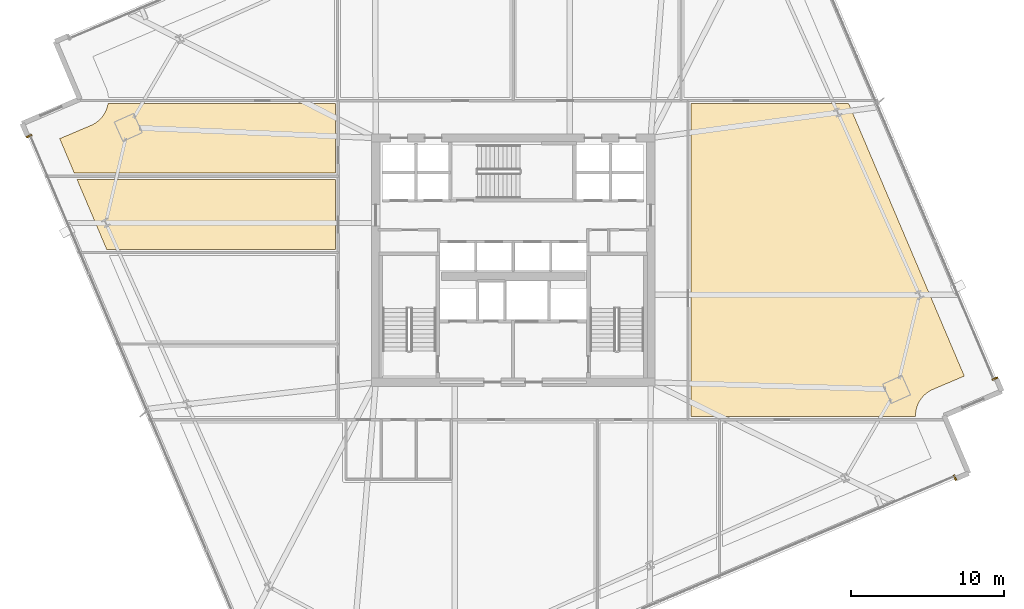
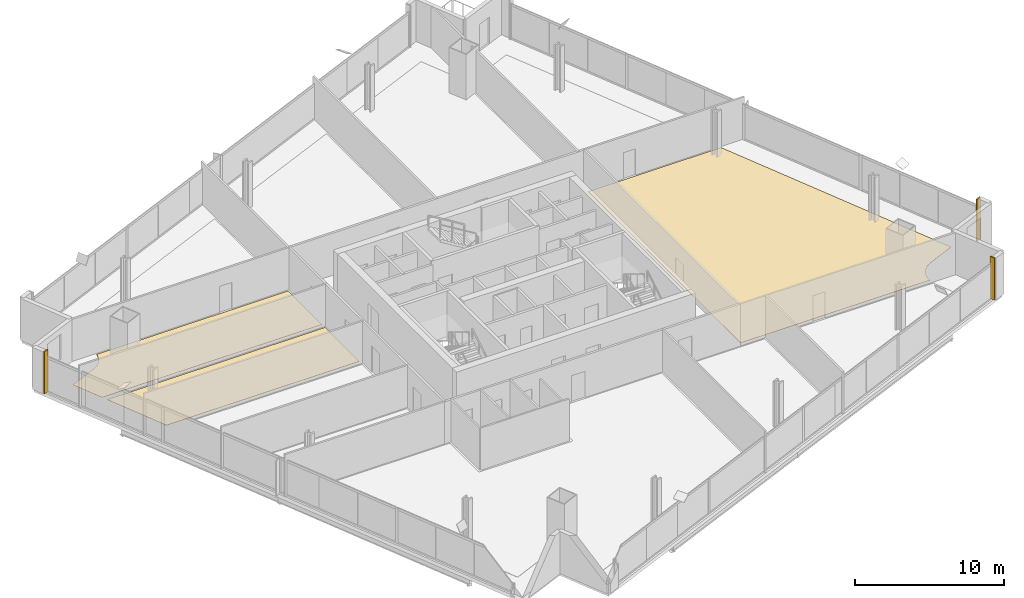
# One storey, part 32 of 34: 6 coverings.
"""IFC4 building model written with IfcOpenShell, lengths in metres."""

from ifc_helpers import new_model, si_unit, direction, frame, origin, origin_2d, place, context, subcontext, project, spatial, polyline, rectangle, outline, extrude, source, transform, mapped, material, layer, layer_set, type_object, element, save


model = new_model("IFC4")

# Units and contexts
model_context = context("Model", 3, precision=1e-05, world=origin(), true_north=direction((0.0, 1.0)))
body_context = subcontext(model_context, "Body", "Model", "MODEL_VIEW")
ifc_project = project(units=[si_unit("LENGTHUNIT", "METRE"), si_unit("AREAUNIT", "SQUARE_METRE"), si_unit("VOLUMEUNIT", "CUBIC_METRE"), si_unit("PLANEANGLEUNIT", "RADIAN"), si_unit("MASSUNIT", "GRAM", prefix="KILO")], contexts=[model_context])

# Site, building, storey
site_placement = place(None, origin())
site = spatial("IfcSite", under=ifc_project, at=site_placement, CompositionType="ELEMENT")
building_placement = place(site_placement, origin())
building = spatial("IfcBuilding", under=site, at=building_placement, Name="Haldenkirk Collegiate Tower", CompositionType="ELEMENT")
storey_placement = place(building_placement, frame((0.0, 0.0, 105.449951171875)))
storey = spatial("IfcBuildingStorey", under=building, at=storey_placement, Name="L25", CompositionType="ELEMENT", Elevation=105.449951171875)

# Coverings
ifc_material_1 = material(Name="Polished collegiate terrazzo", Category="concrete")
ifc_layer_1 = layer(ifc_material_1, 0.02490234375)
ifc_layer_set_1 = layer_set([ifc_layer_1], Name="Polished collegiate terrazzo")
covering_type_1 = type_object("IfcCoveringType", Name="COV-FLOOR-TERRAZZO", PredefinedType="FLOORING", material=ifc_layer_set_1)
covering_1_placement = place(storey_placement, origin())
element("IfcCovering", 1, at=covering_1_placement, inside=storey, type_object=covering_type_1, Name="L25 academic room finish 10", PredefinedType="FLOORING", context=body_context, shape_type="SweptSolid", body=[
    extrude(outline(polyline([(7.427734375, 31.300048828125), (24.35009765625, 31.300048828125), (24.35009765625, 26.699951171875), (9.38037109375, 26.699951171875), (7.427734375, 31.300048828125)])), origin(), (0.0, 0.0, 1.0), 0.025146484375),
])
covering_2_placement = place(storey_placement, origin())
element("IfcCovering", 2, at=covering_2_placement, inside=storey, type_object=covering_type_1, Name="L25 academic room finish 12", PredefinedType="FLOORING", context=body_context, shape_type="SweptSolid", body=[
    extrude(outline(polyline([(63.4912109375, 17.539306640625), (63.48583984375, 17.53662109375), (63.331298828125, 17.4619140625), (63.321044921875, 17.456298828125), (63.174560546875, 17.36669921875), (63.164794921875, 17.360107421875), (63.02783203125, 17.256591796875), (63.018798828125, 17.2490234375), (62.892578125, 17.132568359375), (62.88427734375, 17.124267578125), (62.77001953125, 16.995849609375), (62.7626953125, 16.98681640625), (62.66162109375, 16.847900390625), (62.655029296875, 16.838134765625), (62.568115234375, 16.68994140625), (62.5625, 16.6796875), (62.490478515625, 16.523681640625), (62.486083984375, 16.5126953125), (62.4296875, 16.3505859375), (62.42626953125, 16.33935546875), (62.385986328125, 16.17236328125), (62.3837890625, 16.160888671875), (62.360107421875, 15.99072265625), (62.359130859375, 15.97900390625), (62.352294921875, 15.807373046875), (62.352294921875, 15.795654296875), (62.35498046875, 15.751220703125), (47.64990234375, 15.75), (47.64990234375, 36.25), (57.9716796875, 36.25), (65.544189453125, 18.410400390625), (63.4912109375, 17.539306640625)])), origin(), (0.0, 0.0, 1.0), 0.025146484375),
])
ifc_material_2 = material(Name="Engineered collegiate oak acoustic flooring", Category="wood")
ifc_layer_2 = layer(ifc_material_2, 0.02197265625)
ifc_layer_set_2 = layer_set([ifc_layer_2], Name="Engineered collegiate oak acoustic flooring")
covering_type_2 = type_object("IfcCoveringType", Name="COV-FLOOR-TIMBER", PredefinedType="FLOORING", material=ifc_layer_set_2)
covering_3_placement = place(storey_placement, origin())
element("IfcCovering", 3, at=covering_3_placement, inside=storey, type_object=covering_type_2, Name="L25 academic room finish 11", PredefinedType="FLOORING", context=body_context, shape_type="SweptSolid", body=[
    extrude(outline(polyline([(8.352294921875, 34.8291015625), (8.35791015625, 34.83154296875), (8.512451171875, 34.90625), (8.522705078125, 34.911865234375), (8.669189453125, 35.00146484375), (8.678955078125, 35.00830078125), (8.81591796875, 35.11181640625), (8.824951171875, 35.119140625), (8.951171875, 35.235595703125), (8.95947265625, 35.243896484375), (9.07373046875, 35.372314453125), (9.0810546875, 35.38134765625), (9.18212890625, 35.520263671875), (9.188720703125, 35.530029296875), (9.275634765625, 35.67822265625), (9.281005859375, 35.688720703125), (9.353271484375, 35.844482421875), (9.357666015625, 35.85546875), (9.4140625, 36.017578125), (9.41748046875, 36.02880859375), (9.457763671875, 36.19580078125), (9.4599609375, 36.20751953125), (9.4658203125, 36.25), (24.35009765625, 36.25), (24.35009765625, 31.699951171875), (7.2578125, 31.699951171875), (6.299560546875, 33.957763671875), (8.352294921875, 34.8291015625)])), origin(), (0.0, 0.0, 1.0), 0.02197265625),
])
ifc_material_3 = material(Name="Anodised architectural bronze aluminium", Category="aluminium")
ifc_layer_3 = layer(ifc_material_3, 0.06005859375)
ifc_layer_set_3 = layer_set([ifc_layer_3], Name="Anodised architectural bronze aluminium")
covering_type_3 = type_object("IfcCoveringType", Name="COV-CLAD-BRONZE-60", PredefinedType="CLADDING", material=ifc_layer_set_3)
shared_shape = source(origin(), body_context, "Body", "SweptSolid", [
    extrude(rectangle(XDim=0.10009765625, YDim=0.3798828125, at=origin_2d()), origin(), (0.0, 0.0, 1.0), 3.449951171875),
])
for number, where, z_axis, x_axis, name in (
    (4, (64.9326171875, 11.76318359375, 0.0), (0.0, 0.0, 1.0), (-0.920504853452, -0.390731128489, 0.0), "L25 recessed curtain-wall bronze jamb closure SJL"),
    (5, (67.5498046875, 18.24072265625, 0.0), (0.0, 0.0, 1.0), (0.390731128489, -0.920504853452, 0.0), "L25 recessed curtain-wall bronze jamb closure EJR"),
    (6, (4.2939453125, 34.12744140625, 0.0), (0.0, 0.0, 1.0), (-0.390731128489, 0.920504853452, 0.0), "L25 recessed curtain-wall bronze jamb closure WJR"),
):
    element("IfcCovering", number, at=place(storey_placement, frame(where, z_axis=z_axis, x_axis=x_axis)), inside=storey, type_object=covering_type_3, Name=name, PredefinedType="CLADDING", context=body_context, shape_type="MappedRepresentation", body=[
        mapped(shared_shape, transform((0.0, 0.0, 0.0), x_axis=(1.0, 0.0, 0.0), y_axis=(0.0, 1.0, 0.0), z_axis=(0.0, 0.0, 1.0), scale=1.0)),
    ])

save(model, "model.ifc")
